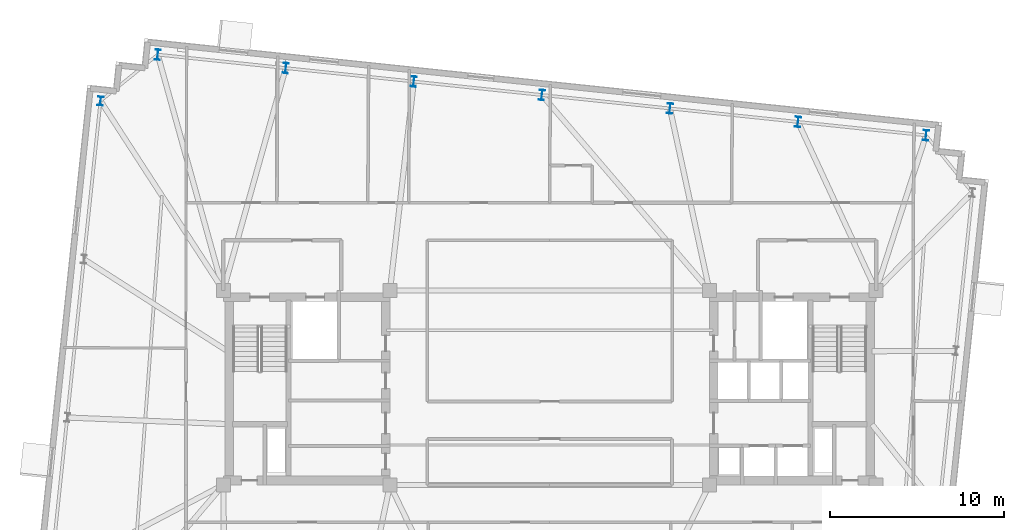
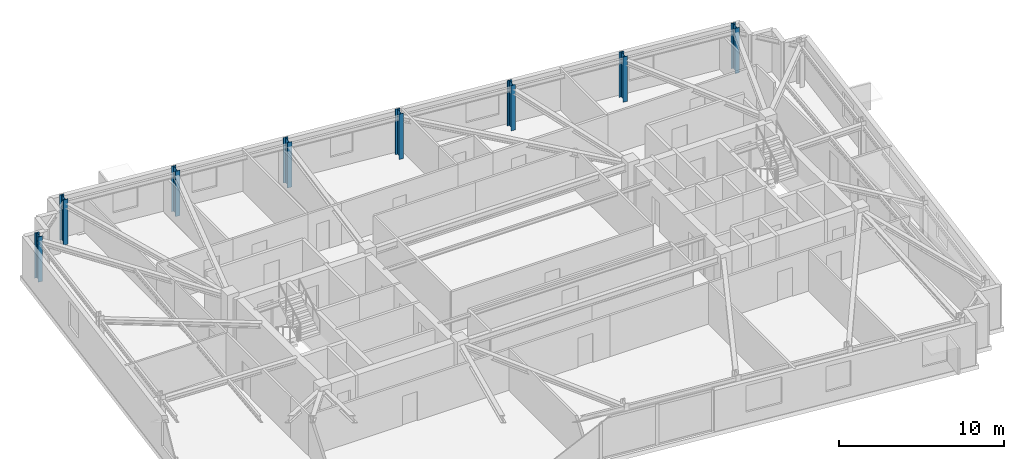
# One storey, part 3 of 13: 8 columns.
"""IFC4 building model written with IfcOpenShell, lengths in metres."""

from ifc_helpers import new_model, si_unit, direction, frame, origin, origin_2d, place, context, subcontext, project, spatial, i_section, extrude, material, material_profile, profile_set, type_object, element, save


model = new_model("IFC4")

# Units and contexts
model_context = context("Model", 3, precision=1e-05, world=origin(), true_north=direction((0.0, 1.0)))
body_context = subcontext(model_context, "Body", "Model", "MODEL_VIEW")
ifc_project = project(units=[si_unit("LENGTHUNIT", "METRE"), si_unit("AREAUNIT", "SQUARE_METRE"), si_unit("VOLUMEUNIT", "CUBIC_METRE"), si_unit("PLANEANGLEUNIT", "RADIAN"), si_unit("MASSUNIT", "GRAM", prefix="KILO")], contexts=[model_context])

# Site, building, storey
site_placement = place(None, origin())
site = spatial("IfcSite", under=ifc_project, at=site_placement, CompositionType="ELEMENT")
building_placement = place(site_placement, origin())
building = spatial("IfcBuilding", under=site, at=building_placement, Name="Qobustan Lattice House", CompositionType="ELEMENT")
storey_placement = place(building_placement, frame((0.0, 0.0, 199.75)))
storey = spatial("IfcBuildingStorey", under=building, at=storey_placement, Name="L56", CompositionType="ELEMENT", Elevation=199.75)

# Columns
ifc_material_1 = material(Name="Steel S355", Category="steel")
ifc_material_profile_1 = material_profile(ifc_material_1, i_section(OverallWidth=0.300048828125, OverallDepth=0.5, WebThickness=0.014404296875, FlangeThickness=0.028076171875, FilletRadius=0.027099609375, at=origin_2d()), Name="HEB500")
ifc_profile_set_1 = profile_set([ifc_material_profile_1], Name="Steel S355")
column_type_1 = type_object("IfcColumnType", Name="COL-ST-HEB500", PredefinedType="COLUMN", material=ifc_profile_set_1)
column_placement = place(storey_placement, frame((-25.87451171875, 16.513916015625, 0.0), z_axis=(0.0, 0.0, 1.0), x_axis=(0.994521895368, -0.104528463268, 0.0)))
element("IfcColumn", 1, at=column_placement, inside=storey, type_object=column_type_1, Name="L56 B4 perimeter column W1", PredefinedType="COLUMN", context=body_context, shape_type="SweptSolid", body=[
    extrude(i_section(OverallWidth=0.300048828125, OverallDepth=0.5, WebThickness=0.014404296875, FlangeThickness=0.028076171875, FilletRadius=0.027099609375, at=origin_2d()), origin(), (0.0, 0.0, 1.0), 3.35009765625),
])
ifc_material_2 = material(Name="Steel S355", Category="steel")
ifc_material_profile_2 = material_profile(ifc_material_2, i_section(OverallWidth=0.300048828125, OverallDepth=0.60009765625, WebThickness=0.015380859375, FlangeThickness=0.030029296875, FilletRadius=0.027099609375, at=origin_2d()), Name="HEB600")
ifc_profile_set_2 = profile_set([ifc_material_profile_2], Name="Steel S355")
column_type_2 = type_object("IfcColumnType", Name="COL-ST-HEB600", PredefinedType="COLUMN", material=ifc_profile_set_2)
for number, where, z_axis, x_axis, name in (
    (2, (21.678955078125, 14.532470703125, 0.0), (0.0, 0.0, 1.0), (0.994521895368, -0.104528463268, 0.0), "L56 B4 perimeter column N1"),
    (3, (14.302978515625, 15.3076171875, 0.0), (0.0, 0.0, 1.0), (0.994521895368, -0.104528463268, 0.0), "L56 B4 perimeter column N2"),
    (4, (6.927001953125, 16.0830078125, 0.0), (0.0, 0.0, 1.0), (0.994521895368, -0.104528463268, 0.0), "L56 B4 perimeter column N3"),
    (5, (-0.44921875, 16.858154296875, 0.0), (0.0, 0.0, 1.0), (0.994521895368, -0.104528463268, 0.0), "L56 B4 perimeter column N4"),
    (6, (-7.8251953125, 17.633544921875, 0.0), (0.0, 0.0, 1.0), (0.994521895368, -0.104528463268, 0.0), "L56 B4 perimeter column N5"),
    (7, (-15.201171875, 18.40869140625, 0.0), (0.0, 0.0, 1.0), (0.994521895368, -0.104528463268, 0.0), "L56 B4 perimeter column N6"),
    (8, (-22.577392578125, 19.18408203125, 0.0), (0.0, 0.0, 1.0), (0.994521895368, -0.104528463268, 0.0), "L56 B4 perimeter column N7"),
):
    element("IfcColumn", number, at=place(storey_placement, frame(where, z_axis=z_axis, x_axis=x_axis)), inside=storey, type_object=column_type_2, Name=name, PredefinedType="COLUMN", context=body_context, shape_type="SweptSolid", body=[
        extrude(i_section(OverallWidth=0.300048828125, OverallDepth=0.60009765625, WebThickness=0.015380859375, FlangeThickness=0.030029296875, FilletRadius=0.027099609375, at=origin_2d()), origin(), (0.0, 0.0, 1.0), 3.35009765625),
    ])

save(model, "model.ifc")
